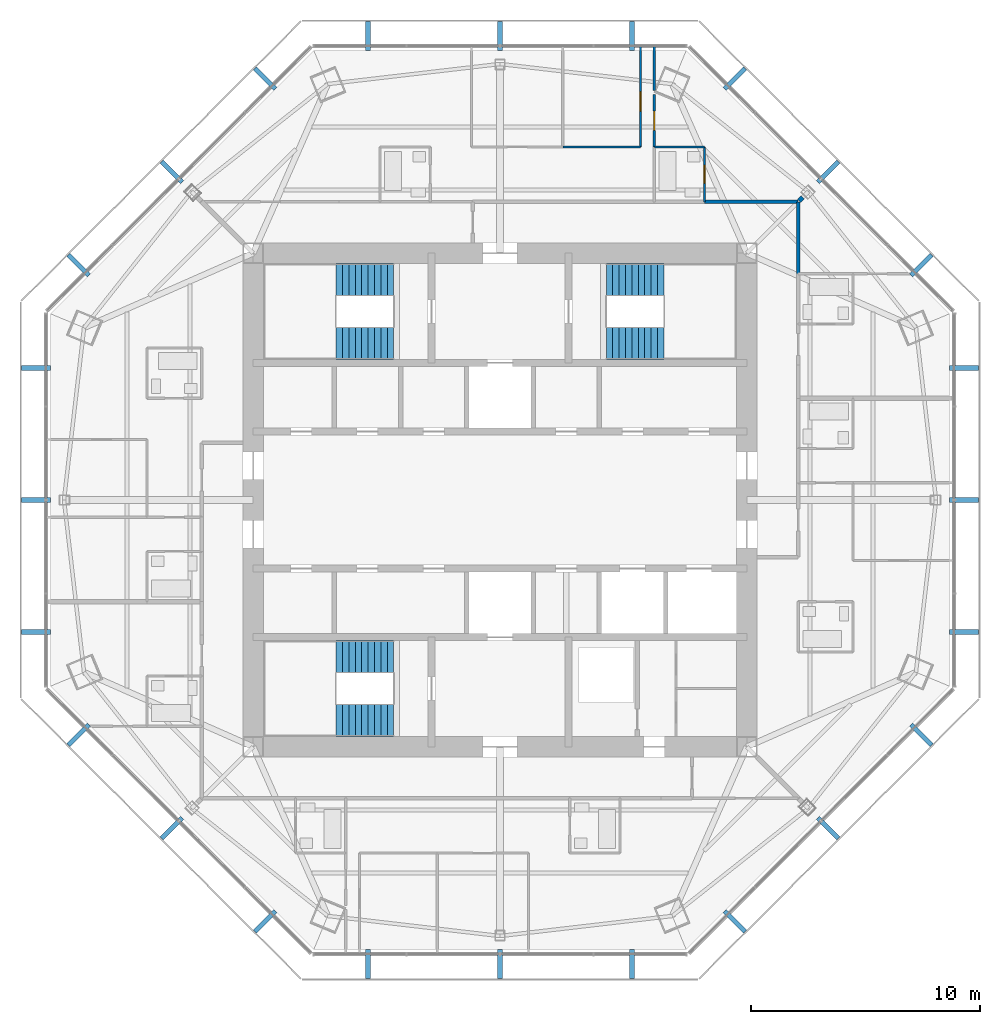
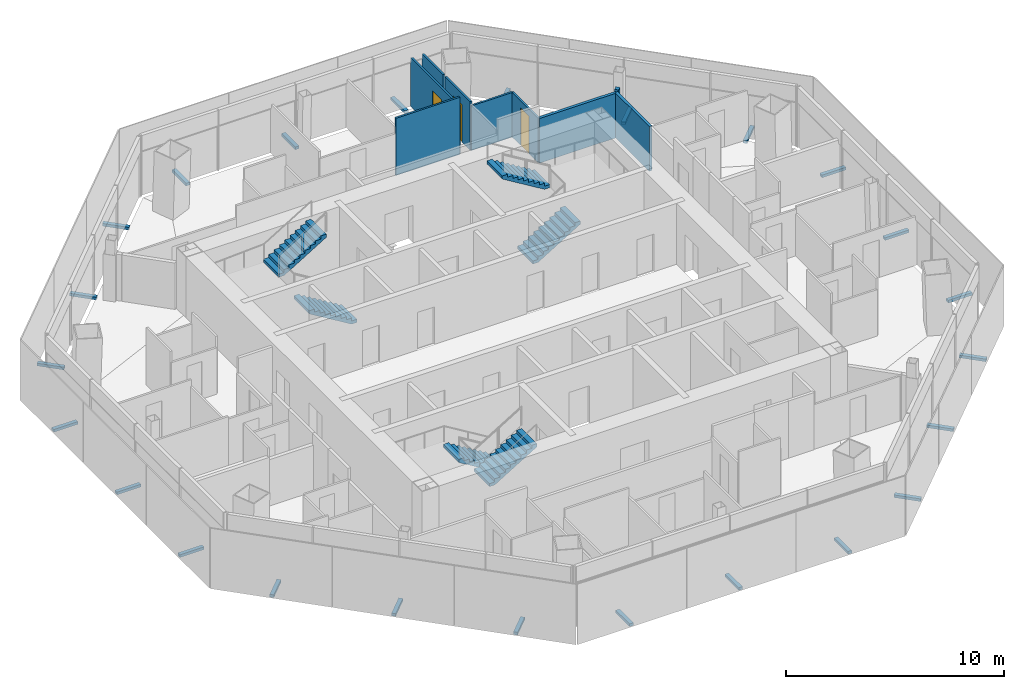
# One storey, part 12 of 14: 24 discrete accessories, 9 walls, 6 stair flights, 3 doors, 3 openings, 3 elements without a shape of their own.
"""IFC4 building model written with IfcOpenShell, lengths in metres."""

from ifc_helpers import new_model, si_unit, direction, frame, frame_2d, origin, origin_2d, place, context, subcontext, project, spatial, polyline, rectangle, outline, extrude, source, transform, mapped, material, layer, layer_set, type_object, type_shapes, element, fill, aggregate, save


model = new_model("IFC4")

# Units and contexts
model_context = context("Model", 3, precision=1e-05, world=origin(), true_north=direction((0.0, 1.0)))
body_context = subcontext(model_context, "Body", "Model", "MODEL_VIEW")
ifc_project = project(units=[si_unit("LENGTHUNIT", "METRE"), si_unit("AREAUNIT", "SQUARE_METRE"), si_unit("VOLUMEUNIT", "CUBIC_METRE"), si_unit("PLANEANGLEUNIT", "RADIAN"), si_unit("MASSUNIT", "GRAM", prefix="KILO")], contexts=[model_context])

# Site, building, storey
site_placement = place(None, origin())
site = spatial("IfcSite", under=ifc_project, at=site_placement, CompositionType="ELEMENT")
building_placement = place(site_placement, origin())
building = spatial("IfcBuilding", under=site, at=building_placement, Name="Mashrafa Tower", CompositionType="ELEMENT")
storey_placement = place(building_placement, frame((0.0, 0.0, 287.800048828125)))
storey = spatial("IfcBuildingStorey", under=building, at=storey_placement, Name="L70", CompositionType="ELEMENT", Elevation=287.800048828125)

# Walls
ifc_material_1 = material(Name="Gypsum board on steel studs", Category="steel")
ifc_layer_1 = layer(ifc_material_1, 0.199951171875)
ifc_layer_set_1 = layer_set([ifc_layer_1], Name="Acoustic partition 200 1 hr")
wall_type_1 = type_object("IfcWallType", Name="Acoustic partition 200 1 hr", PredefinedType="PARTITIONING", material=ifc_layer_set_1)
wall_1_placement = place(storey_placement, frame((13.24609375, 13.24609375, 0.0), z_axis=(0.0, 0.0, 1.0), x_axis=(-0.707106781187, -0.707106781187, 0.0)))
element("IfcWall", 1, at=wall_1_placement, inside=storey, type_object=wall_type_1, Name="Acoustic wall L70-050", PredefinedType="PARTITIONING", context=body_context, shape_type="SweptSolid", body=[
    extrude(rectangle(XDim=0.224365234375, YDim=0.199951171875, at=frame_2d((0.1123046875, 0.0))), origin(), (0.0, 0.0, 1.0), 2.590576171875),
])
ifc_material_2 = material(Name="Gypsum board on steel studs", Category="steel")
ifc_layer_2 = layer(ifc_material_2, 0.14990234375)
ifc_layer_set_2 = layer_set([ifc_layer_2], Name="Corridor partition 150 1 hr")
wall_type_2 = type_object("IfcWallType", Name="Corridor partition 150 1 hr", PredefinedType="PARTITIONING", material=ifc_layer_set_2)
wall_2_placement = place(storey_placement, frame((13.050048828125, 9.89892578125, 0.0), z_axis=(0.0, 0.0, 1.0), x_axis=(0.0, 1.0, 0.0)))
element("IfcWall", 2, at=wall_2_placement, inside=storey, type_object=wall_type_2, Name="Corridor wall L70-005", PredefinedType="PARTITIONING", context=body_context, shape_type="SweptSolid", body=[
    extrude(rectangle(XDim=3.151123046875, YDim=0.14990234375, at=frame_2d((1.57568359375, 0.0))), origin(), (0.0, 0.0, 1.0), 2.49658203125),
])
wall_3_placement = place(storey_placement, frame((13.050048828125, 13.050048828125, 0.0), z_axis=(0.0, 0.0, 1.0), x_axis=(-1.0, 0.0, 0.0)))
element("IfcWall", 3, at=wall_3_placement, inside=storey, type_object=wall_type_2, Name="Corridor wall L70-010", PredefinedType="PARTITIONING", context=body_context, shape_type="SweptSolid", body=[
    extrude(rectangle(XDim=4.10107421875, YDim=0.14990234375, at=frame_2d((2.050537109375, 0.0))), origin(), (0.0, 0.0, 1.0), 2.49658203125),
])
ifc_material_3 = material(Name="Gypsum board on steel studs", Category="steel")
ifc_layer_3 = layer(ifc_material_3, 0.10009765625)
ifc_layer_set_3 = layer_set([ifc_layer_3], Name="Partition 100")
wall_type_3 = type_object("IfcWallType", Name="Partition 100", PredefinedType="PARTITIONING", material=ifc_layer_set_3)
wall_4_placement = place(storey_placement, frame((2.75, 15.449951171875, 0.0), z_axis=(0.0, 0.0, 1.0), x_axis=(1.0, 0.0, 0.0)))
element("IfcWall", 4, at=wall_4_placement, inside=storey, type_object=wall_type_3, Name="Partition wall L70-029", PredefinedType="PARTITIONING", context=body_context, shape_type="SweptSolid", body=[
    extrude(rectangle(XDim=3.39990234375, YDim=0.10009765625, at=frame_2d((1.699951171875, 0.0))), origin(), (0.0, 0.0, 1.0), 3.199951171875),
])

# Wall, opening, door
wall_5_placement = place(storey_placement, frame((6.14990234375, 15.449951171875, 0.0), z_axis=(0.0, 0.0, 1.0), x_axis=(0.0, 1.0, 0.0)))
wall_5 = element("IfcWall", 5, at=wall_5_placement, inside=storey, type_object=wall_type_3, Name="Partition wall L70-030", PredefinedType="PARTITIONING", context=body_context, shape_type="SweptSolid", body=[
    extrude(rectangle(XDim=4.407470703125, YDim=0.10009765625, at=frame_2d((2.20361328125, 0.0))), origin(), (0.0, 0.0, 1.0), 2.730224609375),
])
opening_1_placement = place(wall_5_placement, frame((1.5615234375, 0.0, 0.0)))
opening_1 = element("IfcOpeningElement", 6, at=opening_1_placement, cuts=wall_5, Name="Opening 70.001", PredefinedType="OPENING", context=body_context, shape_type="SweptSolid", body=[
    extrude(rectangle(XDim=0.85009765625, YDim=2.10009765625, at=frame_2d((0.425048828125, 1.050048828125))), frame((0.0, 0.06005859375, 0.0), z_axis=(0.0, -1.0, 0.0), x_axis=(1.0, 0.0, 0.0)), (0.0, 0.0, 1.0), 0.1201171875),
])
ifc_material_4 = material(Name="Timber door", Category="wood")
door_type_1 = type_object("IfcDoorType", Name="Bedroom door 850 x 2100", OperationType="USERDEFINED", PredefinedType="DOOR", material=ifc_material_4)
door_1_placement = place(opening_1_placement, origin())
door_1 = element("IfcDoor", 7, at=door_1_placement, inside=storey, type_object=door_type_1, Name="Apartment 7003 Dining Room door", OperationType="SINGLE_SWING_LEFT", OverallHeight=2.10009765625, OverallWidth=0.85009765625, PredefinedType="DOOR", context=body_context, shape_type="SweptSolid", body=[
    extrude(rectangle(XDim=0.85009765625, YDim=2.10009765625, at=frame_2d((0.425048828125, 1.050048828125))), frame((0.0, 0.02490234375, 0.0), z_axis=(0.0, -1.0, 0.0), x_axis=(1.0, 0.0, 0.0)), (0.0, 0.0, 1.0), 0.050048828125),
])
fill(opening_1, door_1)

wall_6_placement = place(storey_placement, frame((8.949951171875, 13.050048828125, 0.0), z_axis=(0.0, 0.0, 1.0), x_axis=(0.0, 1.0, 0.0)))
wall_6 = element("IfcWall", 8, at=wall_6_placement, inside=storey, type_object=wall_type_3, Name="Partition wall L70-060", PredefinedType="PARTITIONING", context=body_context, shape_type="SweptSolid", body=[
    extrude(rectangle(XDim=2.39990234375, YDim=0.10009765625, at=frame_2d((1.199951171875, 0.0))), origin(), (0.0, 0.0, 1.0), 2.49658203125),
])
opening_2_placement = place(wall_6_placement, frame((0.800048828125, 0.0, 0.0)))
opening_2 = element("IfcOpeningElement", 9, at=opening_2_placement, cuts=wall_6, Name="Opening 70.013", PredefinedType="OPENING", context=body_context, shape_type="SweptSolid", body=[
    extrude(rectangle(XDim=0.800048828125, YDim=2.10009765625, at=frame_2d((0.39990234375, 1.050048828125))), frame((0.0, 0.06005859375, 0.0), z_axis=(0.0, -1.0, 0.0), x_axis=(1.0, 0.0, 0.0)), (0.0, 0.0, 1.0), 0.1201171875),
])
ifc_material_5 = material(Name="Timber door", Category="wood")
door_type_2 = type_object("IfcDoorType", Name="Bathroom door 800 x 2100", OperationType="USERDEFINED", PredefinedType="DOOR", material=ifc_material_5)
door_2_placement = place(opening_2_placement, origin())
door_2 = element("IfcDoor", 10, at=door_2_placement, inside=storey, type_object=door_type_2, Name="Apartment 7003 En-suite Bathroom door", OperationType="SINGLE_SWING_LEFT", OverallHeight=2.10009765625, OverallWidth=0.800048828125, PredefinedType="DOOR", context=body_context, shape_type="SweptSolid", body=[
    extrude(rectangle(XDim=0.800048828125, YDim=2.10009765625, at=frame_2d((0.39990234375, 1.050048828125))), frame((0.0, 0.02490234375, 0.0), z_axis=(0.0, -1.0, 0.0), x_axis=(1.0, 0.0, 0.0)), (0.0, 0.0, 1.0), 0.050048828125),
])
fill(opening_2, door_2)

# Walls
wall_7_placement = place(storey_placement, frame((8.949951171875, 15.449951171875, 0.0), z_axis=(0.0, 0.0, 1.0), x_axis=(-1.0, 0.0, 0.0)))
element("IfcWall", 11, at=wall_7_placement, inside=storey, type_object=wall_type_3, Name="Partition wall L70-061", PredefinedType="PARTITIONING", context=body_context, shape_type="SweptSolid", body=[
    extrude(rectangle(XDim=2.199951171875, YDim=0.10009765625, at=frame_2d((1.10009765625, 0.0))), origin(), (0.0, 0.0, 1.0), 2.49658203125),
])
wall_8_placement = place(storey_placement, frame((6.75, 19.855224609375, 0.0), z_axis=(0.0, 0.0, 1.0), x_axis=(0.0, -1.0, 0.0)))
element("IfcWall", 12, at=wall_8_placement, inside=storey, type_object=wall_type_3, Name="Partition wall L70-063", PredefinedType="PARTITIONING", context=body_context, shape_type="SweptSolid", body=[
    extrude(rectangle(XDim=1.941650390625, YDim=0.10009765625, at=frame_2d((0.970703125, 0.0))), origin(), (0.0, 0.0, 1.0), 2.740234375),
])

# Wall, opening, door
wall_9_placement = place(storey_placement, frame((6.75, 17.73779296875, 0.0), z_axis=(0.0, 0.0, 1.0), x_axis=(0.0, -1.0, 0.0)))
wall_9 = element("IfcWall", 13, at=wall_9_placement, inside=storey, type_object=wall_type_3, Name="Partition wall L70-064", PredefinedType="PARTITIONING", context=body_context, shape_type="SweptSolid", body=[
    extrude(rectangle(XDim=2.287841796875, YDim=0.10009765625, at=frame_2d((1.14404296875, 0.0))), origin(), (0.0, 0.0, 1.0), 2.730224609375),
])
opening_3_placement = place(wall_9_placement, frame((0.718994140625, 0.0, 0.0)))
opening_3 = element("IfcOpeningElement", 14, at=opening_3_placement, cuts=wall_9, Name="Opening 70.014", PredefinedType="OPENING", context=body_context, shape_type="SweptSolid", body=[
    extrude(rectangle(XDim=0.85009765625, YDim=2.10009765625, at=frame_2d((0.425048828125, 1.050048828125))), frame((0.0, 0.06005859375, 0.0), z_axis=(0.0, -1.0, 0.0), x_axis=(1.0, 0.0, 0.0)), (0.0, 0.0, 1.0), 0.1201171875),
])
door_3_placement = place(opening_3_placement, origin())
door_3 = element("IfcDoor", 15, at=door_3_placement, inside=storey, type_object=door_type_1, Name="Apartment 7003 Bedroom 2 door", OperationType="SINGLE_SWING_RIGHT", OverallHeight=2.10009765625, OverallWidth=0.85009765625, PredefinedType="DOOR", context=body_context, shape_type="SweptSolid", body=[
    extrude(rectangle(XDim=0.85009765625, YDim=2.10009765625, at=frame_2d((0.425048828125, 1.050048828125))), frame((0.0, 0.02490234375, 0.0), z_axis=(0.0, -1.0, 0.0), x_axis=(1.0, 0.0, 0.0)), (0.0, 0.0, 1.0), 0.050048828125),
])
fill(opening_3, door_3)

# Stair, stair flights
ifc_material_6 = material(Name="Exit stair 1400")
stair_type = type_object("IfcStairType", Name="Exit stair 1400", PredefinedType="HALF_TURN_STAIR", material=ifc_material_6)
stair_1_placement = place(storey_placement, origin())
stair_1 = element("IfcStair", 16, at=stair_1_placement, inside=storey, type_object=stair_type, Name="Stair S1 L70", PredefinedType="HALF_TURN_STAIR")
ifc_material_7 = material(Name="Concrete C32/40", Category="concrete")
stair_flight_type = type_object("IfcStairFlightType", Name="Stair flight 1400", PredefinedType="STRAIGHT", material=ifc_material_7)
stair_flight_1_placement = place(storey_placement, frame((-4.64990234375, 6.85009765625, 0.0), z_axis=(0.0, 0.0, 1.0), x_axis=(-1.0, 0.0, 0.0)))
stair_flight_1 = element("IfcStairFlight", 17, at=stair_flight_1_placement, type_object=stair_flight_type, Name="S1 flight 1", NumberOfRisers=10, NumberOfTreads=9, PredefinedType="STRAIGHT", RiserHeight=0.17, TreadLength=0.28, context=body_context, shape_type="SweptSolid", body=[
    extrude(outline(polyline([(0.0, 0.0), (0.0, 0.169921875), (0.280029296875, 0.169921875), (0.280029296875, 0.340087890625), (0.56005859375, 0.340087890625), (0.56005859375, 0.510009765625), (0.840087890625, 0.510009765625), (0.840087890625, 0.679931640625), (1.1201171875, 0.679931640625), (1.1201171875, 0.85009765625), (1.39990234375, 0.85009765625), (1.39990234375, 1.02001953125), (1.679931640625, 1.02001953125), (1.679931640625, 1.18994140625), (1.9599609375, 1.18994140625), (1.9599609375, 1.360107421875), (2.239990234375, 1.360107421875), (2.239990234375, 1.530029296875), (2.52001953125, 1.530029296875), (2.52001953125, 1.699951171875), (2.52001953125, 1.354736328125), (0.288818359375, 0.0), (0.0, 0.0)])), frame((0.0, 0.699951171875, 0.0), z_axis=(0.0, -1.0, 0.0), x_axis=(1.0, 0.0, 0.0)), (0.0, 0.0, 1.0), 1.39990234375),
])
stair_flight_2_placement = place(storey_placement, frame((-7.169921875, 9.64990234375, 1.699951171875), z_axis=(0.0, 0.0, 1.0), x_axis=(1.0, 0.0, 0.0)))
stair_flight_2 = element("IfcStairFlight", 18, at=stair_flight_2_placement, type_object=stair_flight_type, Name="S1 flight 2", NumberOfRisers=10, NumberOfTreads=9, PredefinedType="STRAIGHT", RiserHeight=0.17, TreadLength=0.28, context=body_context, shape_type="SweptSolid", body=[
    extrude(outline(polyline([(0.0, 0.0), (0.0, 0.169921875), (0.280029296875, 0.169921875), (0.280029296875, 0.340087890625), (0.56005859375, 0.340087890625), (0.56005859375, 0.510009765625), (0.840087890625, 0.510009765625), (0.840087890625, 0.679931640625), (1.1201171875, 0.679931640625), (1.1201171875, 0.85009765625), (1.39990234375, 0.85009765625), (1.39990234375, 1.02001953125), (1.679931640625, 1.02001953125), (1.679931640625, 1.18994140625), (1.9599609375, 1.18994140625), (1.9599609375, 1.360107421875), (2.239990234375, 1.360107421875), (2.239990234375, 1.530029296875), (2.52001953125, 1.530029296875), (2.52001953125, 1.699951171875), (2.52001953125, 1.354736328125), (0.288818359375, 0.0), (0.0, 0.0)])), frame((0.0, 0.699951171875, 0.0), z_axis=(0.0, -1.0, 0.0), x_axis=(1.0, 0.0, 0.0)), (0.0, 0.0, 1.0), 1.39990234375),
])
aggregate(stair_1, [stair_flight_1, stair_flight_2])

stair_2_placement = place(storey_placement, origin())
stair_2 = element("IfcStair", 19, at=stair_2_placement, inside=storey, type_object=stair_type, Name="Stair S2 L70", PredefinedType="HALF_TURN_STAIR")
stair_flight_3_placement = place(storey_placement, frame((4.64990234375, 6.85009765625, 0.0), z_axis=(0.0, 0.0, 1.0), x_axis=(1.0, 0.0, 0.0)))
stair_flight_3 = element("IfcStairFlight", 20, at=stair_flight_3_placement, type_object=stair_flight_type, Name="S2 flight 1", NumberOfRisers=10, NumberOfTreads=9, PredefinedType="STRAIGHT", RiserHeight=0.17, TreadLength=0.28, context=body_context, shape_type="SweptSolid", body=[
    extrude(outline(polyline([(0.0, 0.0), (0.0, 0.169921875), (0.280029296875, 0.169921875), (0.280029296875, 0.340087890625), (0.56005859375, 0.340087890625), (0.56005859375, 0.510009765625), (0.840087890625, 0.510009765625), (0.840087890625, 0.679931640625), (1.1201171875, 0.679931640625), (1.1201171875, 0.85009765625), (1.39990234375, 0.85009765625), (1.39990234375, 1.02001953125), (1.679931640625, 1.02001953125), (1.679931640625, 1.18994140625), (1.9599609375, 1.18994140625), (1.9599609375, 1.360107421875), (2.239990234375, 1.360107421875), (2.239990234375, 1.530029296875), (2.52001953125, 1.530029296875), (2.52001953125, 1.699951171875), (2.52001953125, 1.354736328125), (0.288818359375, 0.0), (0.0, 0.0)])), frame((0.0, 0.699951171875, 0.0), z_axis=(0.0, -1.0, 0.0), x_axis=(1.0, 0.0, 0.0)), (0.0, 0.0, 1.0), 1.39990234375),
])
stair_flight_4_placement = place(storey_placement, frame((7.169921875, 9.64990234375, 1.699951171875), z_axis=(0.0, 0.0, 1.0), x_axis=(-1.0, 0.0, 0.0)))
stair_flight_4 = element("IfcStairFlight", 21, at=stair_flight_4_placement, type_object=stair_flight_type, Name="S2 flight 2", NumberOfRisers=10, NumberOfTreads=9, PredefinedType="STRAIGHT", RiserHeight=0.17, TreadLength=0.28, context=body_context, shape_type="SweptSolid", body=[
    extrude(outline(polyline([(0.0, 0.0), (0.0, 0.169921875), (0.280029296875, 0.169921875), (0.280029296875, 0.340087890625), (0.56005859375, 0.340087890625), (0.56005859375, 0.510009765625), (0.840087890625, 0.510009765625), (0.840087890625, 0.679931640625), (1.1201171875, 0.679931640625), (1.1201171875, 0.85009765625), (1.39990234375, 0.85009765625), (1.39990234375, 1.02001953125), (1.679931640625, 1.02001953125), (1.679931640625, 1.18994140625), (1.9599609375, 1.18994140625), (1.9599609375, 1.360107421875), (2.239990234375, 1.360107421875), (2.239990234375, 1.530029296875), (2.52001953125, 1.530029296875), (2.52001953125, 1.699951171875), (2.52001953125, 1.354736328125), (0.288818359375, 0.0), (0.0, 0.0)])), frame((0.0, 0.699951171875, 0.0), z_axis=(0.0, -1.0, 0.0), x_axis=(1.0, 0.0, 0.0)), (0.0, 0.0, 1.0), 1.39990234375),
])
aggregate(stair_2, [stair_flight_3, stair_flight_4])

stair_3_placement = place(storey_placement, origin())
stair_3 = element("IfcStair", 22, at=stair_3_placement, inside=storey, type_object=stair_type, Name="Stair S3 L70", PredefinedType="HALF_TURN_STAIR")
stair_flight_5_placement = place(storey_placement, frame((-4.64990234375, -6.85009765625, 0.0), z_axis=(0.0, 0.0, 1.0), x_axis=(-1.0, 0.0, 0.0)))
stair_flight_5 = element("IfcStairFlight", 23, at=stair_flight_5_placement, type_object=stair_flight_type, Name="S3 flight 1", NumberOfRisers=10, NumberOfTreads=9, PredefinedType="STRAIGHT", RiserHeight=0.17, TreadLength=0.28, context=body_context, shape_type="SweptSolid", body=[
    extrude(outline(polyline([(0.0, 0.0), (0.0, 0.169921875), (0.280029296875, 0.169921875), (0.280029296875, 0.340087890625), (0.56005859375, 0.340087890625), (0.56005859375, 0.510009765625), (0.840087890625, 0.510009765625), (0.840087890625, 0.679931640625), (1.1201171875, 0.679931640625), (1.1201171875, 0.85009765625), (1.39990234375, 0.85009765625), (1.39990234375, 1.02001953125), (1.679931640625, 1.02001953125), (1.679931640625, 1.18994140625), (1.9599609375, 1.18994140625), (1.9599609375, 1.360107421875), (2.239990234375, 1.360107421875), (2.239990234375, 1.530029296875), (2.52001953125, 1.530029296875), (2.52001953125, 1.699951171875), (2.52001953125, 1.354736328125), (0.288818359375, 0.0), (0.0, 0.0)])), frame((0.0, 0.699951171875, 0.0), z_axis=(0.0, -1.0, 0.0), x_axis=(1.0, 0.0, 0.0)), (0.0, 0.0, 1.0), 1.39990234375),
])
stair_flight_6_placement = place(storey_placement, frame((-7.169921875, -9.64990234375, 1.699951171875), z_axis=(0.0, 0.0, 1.0), x_axis=(1.0, 0.0, 0.0)))
stair_flight_6 = element("IfcStairFlight", 24, at=stair_flight_6_placement, type_object=stair_flight_type, Name="S3 flight 2", NumberOfRisers=10, NumberOfTreads=9, PredefinedType="STRAIGHT", RiserHeight=0.17, TreadLength=0.28, context=body_context, shape_type="SweptSolid", body=[
    extrude(outline(polyline([(0.0, 0.0), (0.0, 0.169921875), (0.280029296875, 0.169921875), (0.280029296875, 0.340087890625), (0.56005859375, 0.340087890625), (0.56005859375, 0.510009765625), (0.840087890625, 0.510009765625), (0.840087890625, 0.679931640625), (1.1201171875, 0.679931640625), (1.1201171875, 0.85009765625), (1.39990234375, 0.85009765625), (1.39990234375, 1.02001953125), (1.679931640625, 1.02001953125), (1.679931640625, 1.18994140625), (1.9599609375, 1.18994140625), (1.9599609375, 1.360107421875), (2.239990234375, 1.360107421875), (2.239990234375, 1.530029296875), (2.52001953125, 1.530029296875), (2.52001953125, 1.699951171875), (2.52001953125, 1.354736328125), (0.288818359375, 0.0), (0.0, 0.0)])), frame((0.0, 0.699951171875, 0.0), z_axis=(0.0, -1.0, 0.0), x_axis=(1.0, 0.0, 0.0)), (0.0, 0.0, 1.0), 1.39990234375),
])
aggregate(stair_3, [stair_flight_5, stair_flight_6])

# Discrete accessories
ifc_material_8 = material(Name="Stainless steel screen bracket", Category="steel")
discrete_accessory_type = type_object("IfcDiscreteAccessoryType", Name="Screen support bracket 200 x 150", PredefinedType="BRACKET", material=ifc_material_8)
shared_shape = source(origin(), body_context, "Body", "SweptSolid", [
    extrude(rectangle(XDim=0.199951171875, YDim=1.27001953125, at=origin_2d()), origin(), (0.0, 0.0, 1.0), 0.14990234375),
])
type_shapes(discrete_accessory_type, [shared_shape])
for number, where, z_axis, x_axis, name in (
    (25, (20.308349609375, -5.776611328125, -0.14990234375), (0.0, 0.0, 1.0), (0.0, 1.0, 0.0), "Screen support bracket L70 east 1"),
    (26, (20.308349609375, 0.0, -0.14990234375), (0.0, 0.0, 1.0), (0.0, 1.0, 0.0), "Screen support bracket L70 east 2"),
    (27, (20.308349609375, 5.776611328125, -0.14990234375), (0.0, 0.0, 1.0), (0.0, 1.0, 0.0), "Screen support bracket L70 east 3"),
    (28, (18.44482421875, 10.275390625, -0.14990234375), (0.0, 0.0, 1.0), (-0.707106781187, 0.707106781187, 0.0), "Screen support bracket L70 north-east 1"),
    (29, (14.360107421875, 14.360107421875, -0.14990234375), (0.0, 0.0, 1.0), (-0.707106781187, 0.707106781187, 0.0), "Screen support bracket L70 north-east 2"),
    (30, (10.275390625, 18.44482421875, -0.14990234375), (0.0, 0.0, 1.0), (-0.707106781187, 0.707106781187, 0.0), "Screen support bracket L70 north-east 3"),
    (31, (5.776611328125, 20.308349609375, -0.14990234375), (0.0, 0.0, 1.0), (-1.0, 0.0, 0.0), "Screen support bracket L70 north 1"),
    (32, (0.0, 20.308349609375, -0.14990234375), (0.0, 0.0, 1.0), (-1.0, 0.0, 0.0), "Screen support bracket L70 north 2"),
    (33, (-5.776611328125, 20.308349609375, -0.14990234375), (0.0, 0.0, 1.0), (-1.0, 0.0, 0.0), "Screen support bracket L70 north 3"),
    (34, (-10.275390625, 18.44482421875, -0.14990234375), (0.0, 0.0, 1.0), (-0.707106781187, -0.707106781187, 0.0), "Screen support bracket L70 north-west 1"),
    (35, (-14.360107421875, 14.360107421875, -0.14990234375), (0.0, 0.0, 1.0), (-0.707106781187, -0.707106781187, 0.0), "Screen support bracket L70 north-west 2"),
    (36, (-18.44482421875, 10.275390625, -0.14990234375), (0.0, 0.0, 1.0), (-0.707106781187, -0.707106781187, 0.0), "Screen support bracket L70 north-west 3"),
    (37, (-20.308349609375, 5.776611328125, -0.14990234375), (0.0, 0.0, 1.0), (0.0, -1.0, 0.0), "Screen support bracket L70 west 1"),
    (38, (-20.308349609375, 0.0, -0.14990234375), (0.0, 0.0, 1.0), (0.0, -1.0, 0.0), "Screen support bracket L70 west 2"),
    (39, (-20.308349609375, -5.776611328125, -0.14990234375), (0.0, 0.0, 1.0), (0.0, -1.0, 0.0), "Screen support bracket L70 west 3"),
    (40, (-18.44482421875, -10.275390625, -0.14990234375), (0.0, 0.0, 1.0), (0.707106781187, -0.707106781187, 0.0), "Screen support bracket L70 south-west 1"),
    (41, (-14.360107421875, -14.360107421875, -0.14990234375), (0.0, 0.0, 1.0), (0.707106781187, -0.707106781187, 0.0), "Screen support bracket L70 south-west 2"),
    (42, (-10.275390625, -18.44482421875, -0.14990234375), (0.0, 0.0, 1.0), (0.707106781187, -0.707106781187, 0.0), "Screen support bracket L70 south-west 3"),
    (43, (-5.776611328125, -20.308349609375, -0.14990234375), (0.0, 0.0, 1.0), (1.0, 0.0, 0.0), "Screen support bracket L70 south 1"),
    (44, (0.0, -20.308349609375, -0.14990234375), (0.0, 0.0, 1.0), (1.0, 0.0, 0.0), "Screen support bracket L70 south 2"),
    (45, (5.776611328125, -20.308349609375, -0.14990234375), (0.0, 0.0, 1.0), (1.0, 0.0, 0.0), "Screen support bracket L70 south 3"),
    (46, (10.275390625, -18.44482421875, -0.14990234375), (0.0, 0.0, 1.0), (0.707106781187, 0.707106781187, 0.0), "Screen support bracket L70 south-east 1"),
    (47, (14.360107421875, -14.360107421875, -0.14990234375), (0.0, 0.0, 1.0), (0.707106781187, 0.707106781187, 0.0), "Screen support bracket L70 south-east 2"),
    (48, (18.44482421875, -10.275390625, -0.14990234375), (0.0, 0.0, 1.0), (0.707106781187, 0.707106781187, 0.0), "Screen support bracket L70 south-east 3"),
):
    element("IfcDiscreteAccessory", number, at=place(storey_placement, frame(where, z_axis=z_axis, x_axis=x_axis)), inside=storey, type_object=discrete_accessory_type, Name=name, PredefinedType="BRACKET", context=body_context, shape_type="MappedRepresentation", body=[
        mapped(shared_shape, transform((0.0, 0.0, 0.0))),
    ])

save(model, "model.ifc")
